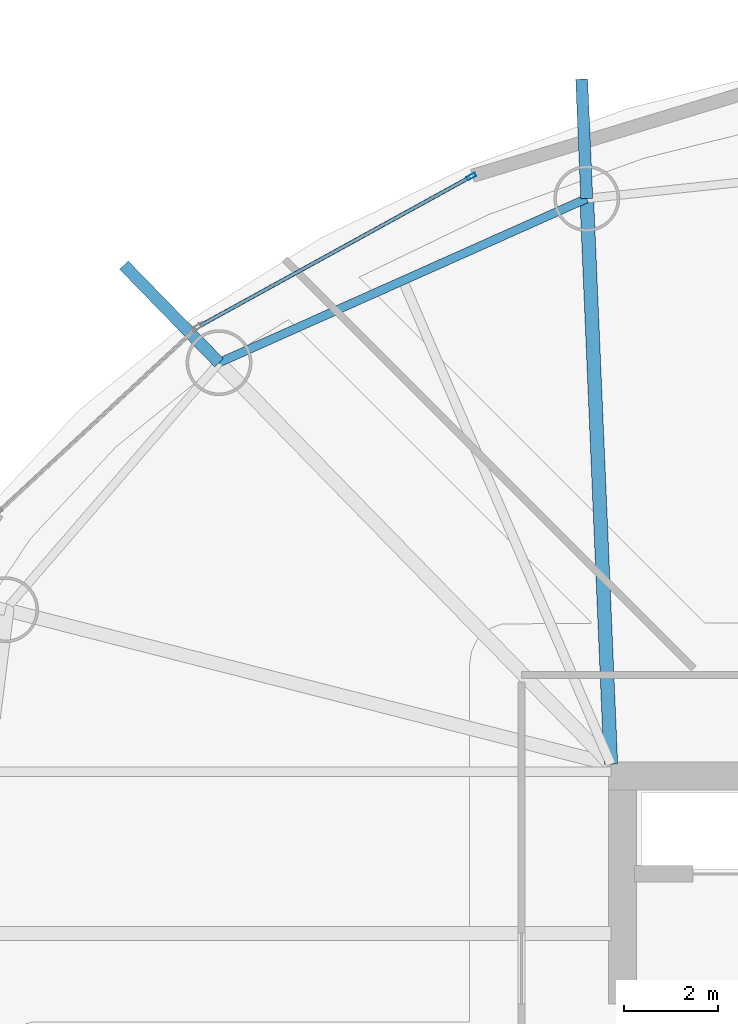
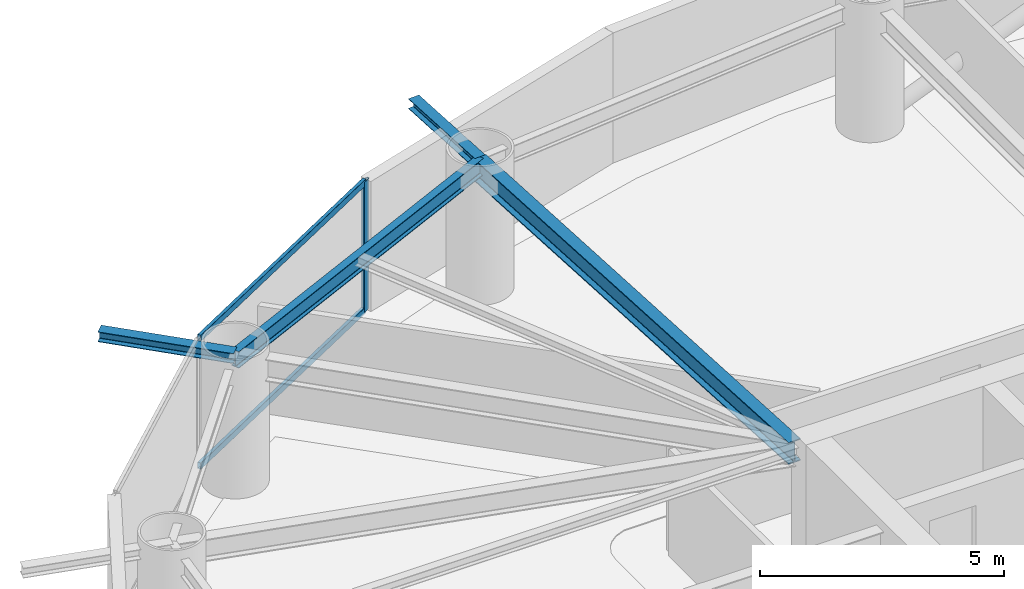
# One storey, part 9 of 21: 4 beams, 3 members, 1 element without a shape of its own.
"""IFC4 building model written with IfcOpenShell, lengths in metres."""

from ifc_helpers import new_model, si_unit, direction, frame, origin, origin_2d, place, context, subcontext, project, spatial, hollow_rectangle, i_section, extrude, material, layer, layer_set, material_profile, profile_set, type_object, element, aggregate, save


model = new_model("IFC4")

# Units and contexts
model_context = context("Model", 3, precision=1e-05, world=origin(), true_north=direction((0.0, 1.0)))
body_context = subcontext(model_context, "Body", "Model", "MODEL_VIEW")
ifc_project = project(units=[si_unit("LENGTHUNIT", "METRE"), si_unit("AREAUNIT", "SQUARE_METRE"), si_unit("VOLUMEUNIT", "CUBIC_METRE"), si_unit("PLANEANGLEUNIT", "RADIAN"), si_unit("MASSUNIT", "GRAM", prefix="KILO")], contexts=[model_context])

# Site, building, storey
site_placement = place(None, origin())
site = spatial("IfcSite", under=ifc_project, at=site_placement, CompositionType="ELEMENT")
building_placement = place(site_placement, origin())
building = spatial("IfcBuilding", under=site, at=building_placement, Name="Bramvorn Convention Spire", CompositionType="ELEMENT")
storey_placement = place(building_placement, frame((0.0, 0.0, 102.800048828125)))
storey = spatial("IfcBuildingStorey", under=building, at=storey_placement, Name="L24", CompositionType="ELEMENT", Elevation=102.800048828125)

# Beams
ifc_material_1 = material(Name="Steel CSA G40.21 Grade 350 (350W)", Category="steel")
ifc_material_profile_1 = material_profile(ifc_material_1, i_section(OverallWidth=0.25390625, OverallDepth=0.2529296875, WebThickness=0.008544921875, FlangeThickness=0.01416015625, FilletRadius=0.011962890625, at=origin_2d()))
ifc_profile_set_1 = profile_set([ifc_material_profile_1], Name="Steel CSA G40.21 Grade 350 (350W) - W250X73")
beam_type_1 = type_object("IfcBeamType", Name="BM-W250X73", PredefinedType="BEAM", material=ifc_profile_set_1)
beam_1_placement = place(storey_placement, frame((26.23828125, 45.478759765625, 3.133544921875), z_axis=(-0.042577995542, 0.999093145956, 0.0), x_axis=(-0.999093145956, -0.042577995542, 0.0)))
element("IfcBeam", 1, at=beam_1_placement, inside=storey, type_object=beam_type_1, Name="L24 slab-edge cantilever tip beam MC07", PredefinedType="BEAM", context=body_context, shape_type="SweptSolid", body=[
    extrude(i_section(OverallWidth=0.25390625, OverallDepth=0.2529296875, WebThickness=0.008544921875, FlangeThickness=0.01416015625, FilletRadius=0.011962890625, at=origin_2d()), origin(), (0.0, 0.0, 1.0), 2.5400390625),
])
beam_2_placement = place(storey_placement, frame((18.420166015625, 41.9892578125, 3.133544921875), z_axis=(-0.698285930659, 0.715818942921, 0.0), x_axis=(-0.715818942921, -0.698285930659, 0.0)))
element("IfcBeam", 2, at=beam_2_placement, inside=storey, type_object=beam_type_1, Name="L24 slab-edge cantilever tip beam MC08", PredefinedType="BEAM", context=body_context, shape_type="SweptSolid", body=[
    extrude(i_section(OverallWidth=0.25390625, OverallDepth=0.2529296875, WebThickness=0.008544921875, FlangeThickness=0.01416015625, FilletRadius=0.011962890625, at=origin_2d()), origin(), (0.0, 0.0, 1.0), 2.896240234375),
])
ifc_material_profile_2 = material_profile(ifc_material_1, i_section(OverallWidth=0.180908203125, OverallDepth=0.4169921875, WebThickness=0.010986328125, FlangeThickness=0.018310546875, FilletRadius=0.01611328125, at=origin_2d()))
ifc_profile_set_2 = profile_set([ifc_material_profile_2], Name="Steel CSA G40.21 Grade 350 (350W) - W410X85")
beam_type_2 = type_object("IfcBeamType", Name="BM-W410X85", PredefinedType="JOIST", material=ifc_profile_set_2)
beam_3_placement = place(storey_placement, frame((26.23828125, 45.478759765625, 3.051513671875), z_axis=(-0.913169534701, -0.407579931908, 0.0), x_axis=(0.407579931908, -0.913169534701, 0.0)))
element("IfcBeam", 3, at=beam_3_placement, inside=storey, type_object=beam_type_2, Name="L24 mega-column ring beam 07", PredefinedType="JOIST", context=body_context, shape_type="SweptSolid", body=[
    extrude(i_section(OverallWidth=0.180908203125, OverallDepth=0.4169921875, WebThickness=0.010986328125, FlangeThickness=0.018310546875, FilletRadius=0.01611328125, at=origin_2d()), origin(), (0.0, 0.0, 1.0), 8.5615234375),
])
ifc_material_profile_3 = material_profile(ifc_material_1, i_section(OverallWidth=0.2919921875, OverallDepth=0.551025390625, WebThickness=0.01513671875, FlangeThickness=0.0244140625, FilletRadius=0.01904296875, at=origin_2d()))
ifc_profile_set_3 = profile_set([ifc_material_profile_3], Name="Steel CSA G40.21 Grade 350 (350W) - W530X182")
beam_type_3 = type_object("IfcBeamType", Name="BM-W530X182", PredefinedType="BEAM", material=ifc_profile_set_3)
beam_4_placement = place(storey_placement, frame((26.75, 33.449951171875, 2.984375), z_axis=(-0.042502657955, 0.999096353745, 0.0), x_axis=(-0.999096353745, -0.042502657955, 0.0)))
element("IfcBeam", 4, at=beam_4_placement, inside=storey, type_object=beam_type_3, Name="L24 radial floor girder MC07", PredefinedType="BEAM", context=body_context, shape_type="SweptSolid", body=[
    extrude(i_section(OverallWidth=0.2919921875, OverallDepth=0.551025390625, WebThickness=0.01513671875, FlangeThickness=0.0244140625, FilletRadius=0.01904296875, at=origin_2d()), origin(), (0.0, 0.0, 1.0), 12.039794921875),
])

# Curtain wall, members
ifc_material_2 = material(Name="Anodised Bronze Unitised Curtain Wall", Category="aluminium")
ifc_layer = layer(ifc_material_2, 0.179931640625)
ifc_layer_set = layer_set([ifc_layer], Name="Anodised Bronze Unitised Curtain Wall - CW-HTL-FRIT")
curtain_wall_type = type_object("IfcCurtainWallType", Name="CW-HTL-FRIT", PredefinedType="USERDEFINED", material=ifc_layer_set)
curtain_wall_placement = place(storey_placement, origin())
curtain_wall = element("IfcCurtainWall", 5, at=curtain_wall_placement, inside=storey, type_object=curtain_wall_type, Name="L24 fritted glass curtain wall 10", ObjectType="UNITISED CURTAIN WALL", PredefinedType="USERDEFINED")
ifc_material_3 = material(Name="Anodised Bronze Aluminium 6063-T6", Category="aluminium")
ifc_material_profile_4 = material_profile(ifc_material_3, hollow_rectangle(XDim=0.080078125, YDim=0.199951171875, WallThickness=0.00390625, InnerFilletRadius=0.0009765625, OuterFilletRadius=0.00390625, at=origin_2d()))
ifc_profile_set_4 = profile_set([ifc_material_profile_4], Name="Anodised Bronze Aluminium 6063-T6 - CWM80X200")
member_type_1 = type_object("IfcMemberType", Name="CW-MUL-180", PredefinedType="MULLION", material=ifc_profile_set_4)
member_1_placement = place(storey_placement, frame((23.7822265625, 45.946533203125, 0.0), z_axis=(0.0, 0.0, 1.0), x_axis=(-0.481959641892, 0.876193416768, 0.0)))
member_1 = element("IfcMember", 6, at=member_1_placement, type_object=member_type_1, Name="CW2 mullion 2", PredefinedType="MULLION", context=body_context, shape_type="SweptSolid", body=[
    extrude(hollow_rectangle(XDim=0.080078125, YDim=0.199951171875, WallThickness=0.00390625, InnerFilletRadius=0.0009765625, OuterFilletRadius=0.00390625, at=origin_2d()), origin(), (0.0, 0.0, 1.0), 3.260009765625),
])
ifc_material_profile_5 = material_profile(ifc_material_3, hollow_rectangle(XDim=0.080078125, YDim=0.159912109375, WallThickness=0.00390625, InnerFilletRadius=0.0009765625, OuterFilletRadius=0.00390625, at=origin_2d()))
ifc_profile_set_5 = profile_set([ifc_material_profile_5], Name="Anodised Bronze Aluminium 6063-T6 - CWT80X160")
member_type_2 = type_object("IfcMemberType", Name="CW-TRN-150", PredefinedType="USERDEFINED", material=ifc_profile_set_5)
member_2_placement = place(storey_placement, frame((18.021240234375, 42.77783203125, 0.030029296875), z_axis=(0.876208033041, 0.481933068833, 0.0), x_axis=(-0.481933068833, 0.876208033041, 0.0)))
member_2 = element("IfcMember", 7, at=member_2_placement, type_object=member_type_2, Name="CW2 transom 1.1", ObjectType="TRANSOM", PredefinedType="USERDEFINED", context=body_context, shape_type="SweptSolid", body=[
    extrude(hollow_rectangle(XDim=0.080078125, YDim=0.159912109375, WallThickness=0.00390625, InnerFilletRadius=0.0009765625, OuterFilletRadius=0.00390625, at=origin_2d()), origin(), (0.0, 0.0, 1.0), 6.545166015625),
])
member_3_placement = place(storey_placement, frame((18.021240234375, 42.77783203125, 3.22998046875), z_axis=(0.876208033041, 0.481933068833, 0.0), x_axis=(-0.481933068833, 0.876208033041, 0.0)))
member_3 = element("IfcMember", 8, at=member_3_placement, type_object=member_type_2, Name="CW2 transom 1.2", ObjectType="TRANSOM", PredefinedType="USERDEFINED", context=body_context, shape_type="SweptSolid", body=[
    extrude(hollow_rectangle(XDim=0.080078125, YDim=0.159912109375, WallThickness=0.00390625, InnerFilletRadius=0.0009765625, OuterFilletRadius=0.00390625, at=origin_2d()), origin(), (0.0, 0.0, 1.0), 6.545166015625),
])
aggregate(curtain_wall, [member_1, member_2, member_3])

save(model, "model.ifc")
